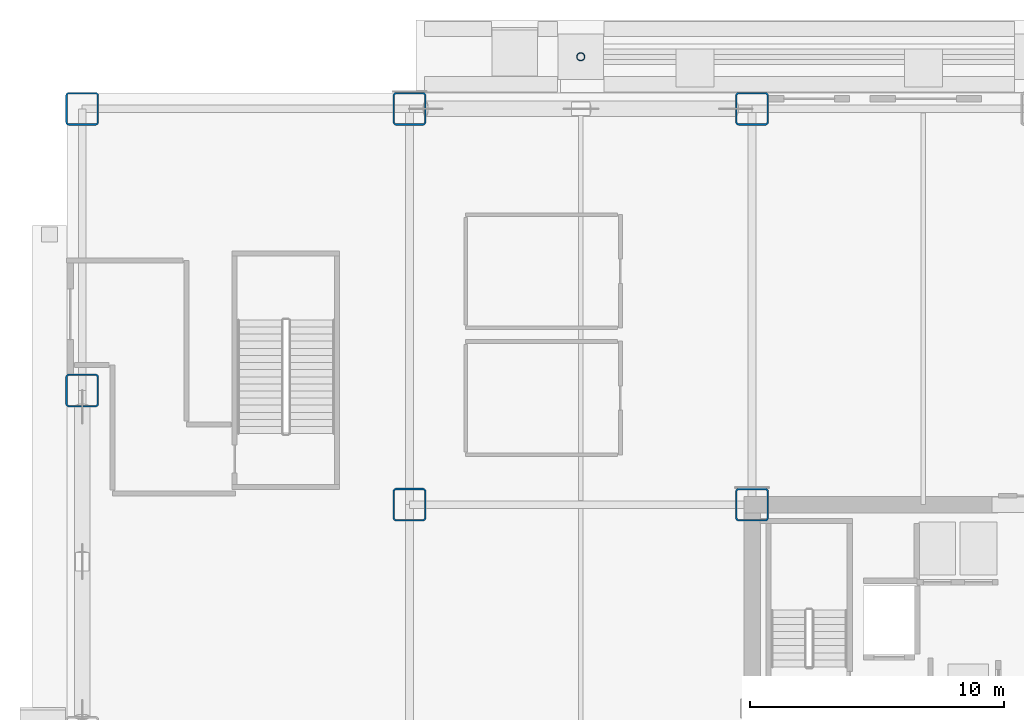
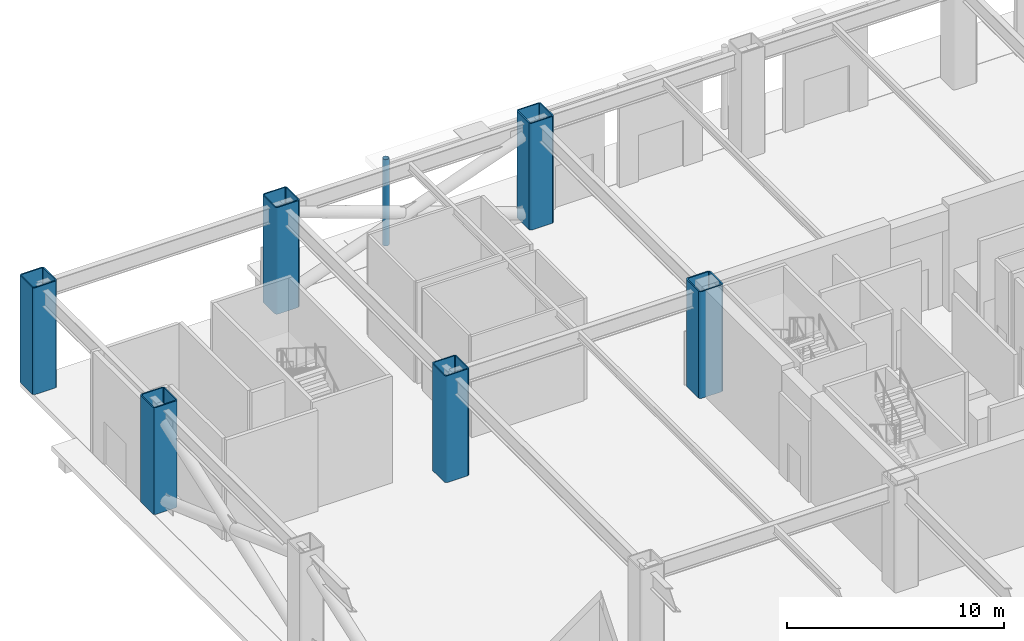
# One storey, part 4 of 17: 7 columns.
"""IFC4 building model written with IfcOpenShell, lengths in metres."""

import ifcopenshell
import ifcopenshell.guid

model = None  # the IFC model being written
_history = None  # IfcOwnerHistory: only IFC2X3 demands one
_inside = {}  # id of a spatial element -> (the spatial element, [elements in it])
_under = {}  # id of a project, library or spatial element -> (it, [spatial elements below it])
_declared = {}  # id of a project -> (the project, [libraries it declares])
_typed = {}  # id of a type object -> (the type object, [elements of that type])
_made_of = {}  # id of a material, layer set ... -> (it, [elements and type objects made of it])


def new_model(schema):
    """Start an empty IFC model of exactly this schema.

    Asked for "IFC4X3", IfcOpenShell would pick the latest addendum, in which some entities
    have other attributes; the version numbers below select the first issue.
    IFC2X3 requires an IfcOwnerHistory on every rooted entity: one is made here for all.
    """
    global model, _history
    if schema == "IFC4X3":
        model = ifcopenshell.file(schema_version=(4, 3, 0, 0))
    else:
        model = ifcopenshell.file(schema=schema)
    _inside.clear()
    _under.clear()
    _declared.clear()
    _typed.clear()
    _made_of.clear()
    _history = None
    if model.schema == "IFC2X3":
        org = make("IfcOrganization", Name="unknown")
        user = make(
            "IfcPersonAndOrganization",
            ThePerson=make("IfcPerson", FamilyName="unknown"),
            TheOrganization=org,
        )
        app = make(
            "IfcApplication",
            ApplicationDeveloper=org,
            Version="unknown",
            ApplicationFullName="unknown",
            ApplicationIdentifier="unknown",
        )
        _history = make(
            "IfcOwnerHistory",
            OwningUser=user,
            OwningApplication=app,
            ChangeAction="ADDED",
            CreationDate=0,
        )
    return model


def make(cls, **values):
    """One entity of the class cls with the attributes given. An attribute that is None is left unset."""
    return model.create_entity(
        cls, **{name: value for name, value in values.items() if value is not None}
    )


def rooted(cls, **values):
    """An entity with a GlobalId (a new one), such as an element, a storey or a relation."""
    return make(cls, GlobalId=ifcopenshell.guid.new(), OwnerHistory=_history, **values)


def si_unit(unit_type, name, prefix=None):
    """IfcSIUnit, for example si_unit("LENGTHUNIT", "METRE", prefix="MILLI")."""
    return make("IfcSIUnit", UnitType=unit_type, Prefix=prefix, Name=name)


def assignment(units):
    """IfcUnitAssignment: the units of a project."""
    return None if units is None else make("IfcUnitAssignment", Units=units)


def point(xyz):
    """IfcCartesianPoint."""
    return None if xyz is None else make("IfcCartesianPoint", Coordinates=xyz)


def direction(xyz):
    """IfcDirection."""
    return None if xyz is None else make("IfcDirection", DirectionRatios=xyz)


def frame(location, z_axis=None, x_axis=None):
    """IfcAxis2Placement3D, a coordinate frame: its origin and axes. An axis left out is left unset."""
    return make(
        "IfcAxis2Placement3D",
        Location=point(location),
        Axis=direction(z_axis),
        RefDirection=direction(x_axis),
    )


def frame_2d(location, x_axis=None):
    """IfcAxis2Placement2D, a coordinate frame in the plane: its origin and x axis."""
    return make(
        "IfcAxis2Placement2D", Location=point(location), RefDirection=direction(x_axis)
    )


def origin():
    """The frame at (0, 0, 0) with its axes left unset."""
    return frame((0.0, 0.0, 0.0))


def origin_2d():
    """The frame at (0, 0) in the plane with its x axis left unset."""
    return frame_2d((0.0, 0.0))


def place(relative_to, where):
    """IfcLocalPlacement: puts the frame where relative to a parent placement (None: the world)."""
    return make(
        "IfcLocalPlacement", PlacementRelTo=relative_to, RelativePlacement=where
    )


def context(
    kind, dimensions, precision=None, world=None, true_north=None, identifier=None
):
    """IfcGeometricRepresentationContext, for example the 3D "Model" context."""
    return make(
        "IfcGeometricRepresentationContext",
        ContextIdentifier=identifier,
        ContextType=kind,
        CoordinateSpaceDimension=dimensions,
        Precision=precision,
        WorldCoordinateSystem=world,
        TrueNorth=true_north,
    )


def subcontext(parent, identifier, kind, view, scale=None):
    """IfcGeometricRepresentationSubContext, for example "Body" below "Model"."""
    return make(
        "IfcGeometricRepresentationSubContext",
        ContextIdentifier=identifier,
        ContextType=kind,
        ParentContext=parent,
        TargetScale=scale,
        TargetView=view,
    )


def project(units=None, contexts=None):
    """IfcProject with its units and contexts."""
    return rooted(
        "IfcProject",
        Name="project",
        RepresentationContexts=contexts,
        UnitsInContext=assignment(units),
    )


def spatial(cls, under=None, at=None, **own):
    """A site, building, storey or space (cls), placed at a placement, below another one or the project."""
    s = rooted(cls, ObjectPlacement=at, **own)
    if under is not None:
        _under.setdefault(under.id(), (under, []))[1].append(s)
    return s


def profile(cls, at=None, kind="AREA", **sizes):
    """A parametric profile (cls). Its sizes go by their IFC names, for example OverallWidth=200.0."""
    return make(cls, ProfileType=kind, Position=at, **sizes)


def hollow_rectangle(**sizes):
    """IfcRectangleHollowProfileDef."""
    return profile("IfcRectangleHollowProfileDef", **sizes)


def hollow_circle(**sizes):
    """IfcCircleHollowProfileDef."""
    return profile("IfcCircleHollowProfileDef", **sizes)


def extrude(swept, where, along, depth):
    """IfcExtrudedAreaSolid: the profile swept, set in the frame where, extruded along a direction by depth."""
    return make(
        "IfcExtrudedAreaSolid",
        SweptArea=swept,
        Position=where,
        ExtrudedDirection=direction(along),
        Depth=depth,
    )


def shape(context_of_items, identifier, shape_type, items):
    """IfcShapeRepresentation: the items that make up one representation, for example the "Body"."""
    return make(
        "IfcShapeRepresentation",
        ContextOfItems=context_of_items,
        RepresentationIdentifier=identifier,
        RepresentationType=shape_type,
        Items=items,
    )


def source(mapping_origin, context_of_items, identifier, shape_type, items):
    """IfcRepresentationMap: a shape defined once, which mapped items show again and again."""
    return make(
        "IfcRepresentationMap",
        MappingOrigin=mapping_origin,
        MappedRepresentation=shape(context_of_items, identifier, shape_type, items),
    )


def transform(
    local_origin,
    x_axis=None,
    y_axis=None,
    z_axis=None,
    scale=None,
    scale2=None,
    scale3=None,
    uniform=True,
):
    """IfcCartesianTransformationOperator3D, or its non-uniform kind. x_axis, y_axis, z_axis: its Axis1, 2, 3."""
    if uniform:
        return make(
            "IfcCartesianTransformationOperator3D",
            Axis1=direction(x_axis),
            Axis2=direction(y_axis),
            LocalOrigin=point(local_origin),
            Scale=scale,
            Axis3=direction(z_axis),
        )
    return make(
        "IfcCartesianTransformationOperator3DnonUniform",
        Axis1=direction(x_axis),
        Axis2=direction(y_axis),
        LocalOrigin=point(local_origin),
        Scale=scale,
        Axis3=direction(z_axis),
        Scale2=scale2,
        Scale3=scale3,
    )


def mapped(mapping_source, mapping_target):
    """IfcMappedItem: shows the shape of a source again, moved by a transform."""
    return make(
        "IfcMappedItem", MappingSource=mapping_source, MappingTarget=mapping_target
    )


def material(Name=None, Category=None):
    """IfcMaterial."""
    return make("IfcMaterial", Name=Name, Category=Category)


def material_profile(
    of_material, cross_section, Name=None, Category=None, Priority=None
):
    """IfcMaterialProfile: a cross section and its material."""
    return make(
        "IfcMaterialProfile",
        Name=Name,
        Material=of_material,
        Profile=cross_section,
        Priority=Priority,
        Category=Category,
    )


def profile_set(profiles, Name=None, composite=None):
    """IfcMaterialProfileSet."""
    return make(
        "IfcMaterialProfileSet",
        Name=Name,
        MaterialProfiles=profiles,
        CompositeProfile=composite,
    )


def made_of(thing, what):
    """Note that an element or type object is made of a material, layer set ...; save() writes the relation."""
    if what is not None:
        _made_of.setdefault(what.id(), (what, []))[1].append(thing)
    return thing


def type_object(cls, material=None, **own):
    """A type object (cls), such as IfcWallType, which elements share."""
    return made_of(rooted(cls, **own), material)


def element(
    cls,
    number,
    at=None,
    inside=None,
    cuts=None,
    type_object=None,
    material=None,
    context=None,
    identifier="Body",
    shape_type=None,
    held_by="IfcProductDefinitionShape",
    body=None,
    shapes=None,
    **own,
):
    """One element of the class cls, such as IfcWall. Its Tag is "e" and its number.

    at: its placement. inside: the storey or other place that contains it. cuts: it is an
    opening in that element (IfcRelVoidsElement). A single representation is given by context,
    identifier, shape_type and body (its items); several are given by shapes. held_by: the class
    of the entity that holds the representations. save() writes the other relations.
    """
    e = rooted(cls, Tag="e%d" % number, ObjectPlacement=at, **own)
    if body is not None:
        shapes = [shape(context, identifier, shape_type, body)]
    if shapes is not None:
        e.Representation = make(held_by, Representations=shapes)
    if inside is not None:
        _inside.setdefault(inside.id(), (inside, []))[1].append(e)
    if cuts is not None:
        rooted(
            "IfcRelVoidsElement", RelatingBuildingElement=cuts, RelatedOpeningElement=e
        )
    if type_object is not None:
        _typed.setdefault(type_object.id(), (type_object, []))[1].append(e)
    return made_of(e, material)


def aggregate(whole, parts):
    """IfcRelAggregates: a whole, such as a stair, and the parts it consists of."""
    return rooted("IfcRelAggregates", RelatingObject=whole, RelatedObjects=parts)


def save(model, path):
    """Write the relations noted so far, then the file.

    IfcRelAggregates (storeys below a building ...), IfcRelContainedInSpatialStructure (elements
    in a storey), IfcRelDefinesByType, IfcRelAssociatesMaterial and IfcRelDeclares: one each for
    every whole, place, type object, material and project.
    """
    for whole, parts in _under.values():
        aggregate(whole, parts)
    for where, things in _inside.values():
        rooted(
            "IfcRelContainedInSpatialStructure",
            RelatedElements=things,
            RelatingStructure=where,
        )
    for kind, things in _typed.values():
        rooted("IfcRelDefinesByType", RelatedObjects=things, RelatingType=kind)
    for what, things in _made_of.values():
        rooted("IfcRelAssociatesMaterial", RelatedObjects=things, RelatingMaterial=what)
    for by, libraries in _declared.values():
        rooted("IfcRelDeclares", RelatingContext=by, RelatedDefinitions=libraries)
    model.write(path)


model = new_model("IFC4")

# Units and contexts
model_context = context("Model", 3, precision=1e-05, world=origin(), true_north=direction((0.0, 1.0)))
body_context = subcontext(model_context, "Body", "Model", "MODEL_VIEW")
ifc_project = project(units=[si_unit("LENGTHUNIT", "METRE"), si_unit("AREAUNIT", "SQUARE_METRE"), si_unit("VOLUMEUNIT", "CUBIC_METRE"), si_unit("PLANEANGLEUNIT", "RADIAN"), si_unit("MASSUNIT", "GRAM", prefix="KILO")], contexts=[model_context])

# Site, building, storey
site_placement = place(None, origin())
site = spatial("IfcSite", under=ifc_project, at=site_placement, CompositionType="ELEMENT")
building_placement = place(site_placement, origin())
building = spatial("IfcBuilding", under=site, at=building_placement, Name="Nefas-Gora Pilgrimage Tower", CompositionType="ELEMENT")
storey_placement = place(building_placement, origin())
storey = spatial("IfcBuildingStorey", under=building, at=storey_placement, Name="L00", CompositionType="ELEMENT", Elevation=0.0)

# Columns
ifc_material_1 = material(Name="Steel S355", Category="steel")
ifc_material_profile_1 = material_profile(ifc_material_1, hollow_circle(Radius=0.161865234375, WallThickness=0.02001953125, at=origin_2d()), Name="CHS 323.9x20")
ifc_profile_set_1 = profile_set([ifc_material_profile_1], Name="Steel S355")
column_type_1 = type_object("IfcColumnType", Name="COL-CAN-324", PredefinedType="COLUMN", material=ifc_profile_set_1)
shared_shape_1 = source(origin(), body_context, "Body", "SweptSolid", [
    extrude(hollow_circle(Radius=0.161865234375, WallThickness=0.02001953125, at=origin_2d()), origin(), (0.0, 0.0, 1.0), 4.85009765625),
])
column_placement = place(storey_placement, frame((-18.0, 26.64990234375, -0.25), z_axis=(0.0, 0.0, 1.0), x_axis=(1.0, 0.0, 0.0)))
element("IfcColumn", 1, at=column_placement, inside=storey, type_object=column_type_1, Name="Arrival Canopy Column CC-01.1", PredefinedType="COLUMN", context=body_context, shape_type="MappedRepresentation", body=[
    mapped(shared_shape_1, transform((0.0, 0.0, 0.0), x_axis=(1.0, 0.0, 0.0), y_axis=(0.0, 1.0, 0.0), z_axis=(0.0, 0.0, 1.0), scale=1.0)),
])
ifc_material_2 = material(Name="Steel S460", Category="steel")
ifc_material_profile_2 = material_profile(ifc_material_2, hollow_rectangle(XDim=1.300048828125, YDim=1.300048828125, WallThickness=0.06494140625, InnerFilletRadius=0.06494140625, OuterFilletRadius=0.1298828125, at=origin_2d()), Name="BOX 1300x1300x65")
ifc_profile_set_2 = profile_set([ifc_material_profile_2], Name="Steel S460")
column_type_2 = type_object("IfcColumnType", Name="COL-MEGA-1300E", PredefinedType="COLUMN", material=ifc_profile_set_2)
shared_shape_2 = source(origin(), body_context, "Body", "SweptSolid", [
    extrude(hollow_rectangle(XDim=1.300048828125, YDim=1.300048828125, WallThickness=0.06494140625, InnerFilletRadius=0.06494140625, OuterFilletRadius=0.1298828125, at=origin_2d()), origin(), (0.0, 0.0, 1.0), 6.0),
])
for number, where, z_axis, x_axis, name in (
    (2, (-37.64990234375, 13.5, 0.0), (0.0, 0.0, 1.0), (1.0, 0.0, 0.0), "L00 Mega-Column MC-01E.4"),
    (3, (-37.64990234375, 24.60009765625, 0.0), (0.0, 0.0, 1.0), (1.0, 0.0, 0.0), "L00 Mega-Column MC-01E.5"),
    (4, (-24.75, 9.0, 0.0), (0.0, 0.0, 1.0), (1.0, 0.0, 0.0), "L00 Mega-Column MC-01E.8"),
    (5, (-24.75, 24.60009765625, 0.0), (0.0, 0.0, 1.0), (1.0, 0.0, 0.0), "L00 Mega-Column MC-01E.9"),
    (6, (-11.25, 9.0, 0.0), (0.0, 0.0, 1.0), (1.0, 0.0, 0.0), "L00 Mega-Column MC-01E.12"),
    (7, (-11.25, 24.60009765625, 0.0), (0.0, 0.0, 1.0), (1.0, 0.0, 0.0), "L00 Mega-Column MC-01E.13"),
):
    element("IfcColumn", number, at=place(storey_placement, frame(where, z_axis=z_axis, x_axis=x_axis)), inside=storey, type_object=column_type_2, Name=name, PredefinedType="COLUMN", context=body_context, shape_type="MappedRepresentation", body=[
        mapped(shared_shape_2, transform((0.0, 0.0, 0.0), x_axis=(1.0, 0.0, 0.0), y_axis=(0.0, 1.0, 0.0), z_axis=(0.0, 0.0, 1.0), scale=1.0)),
    ])

save(model, "model.ifc")
